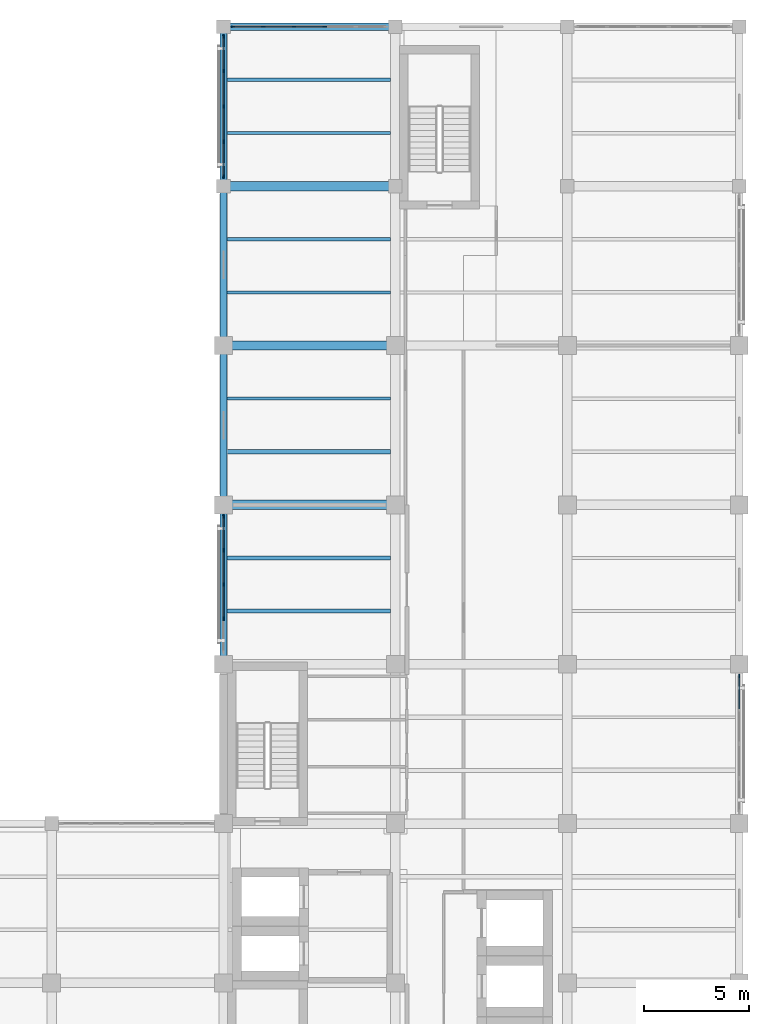
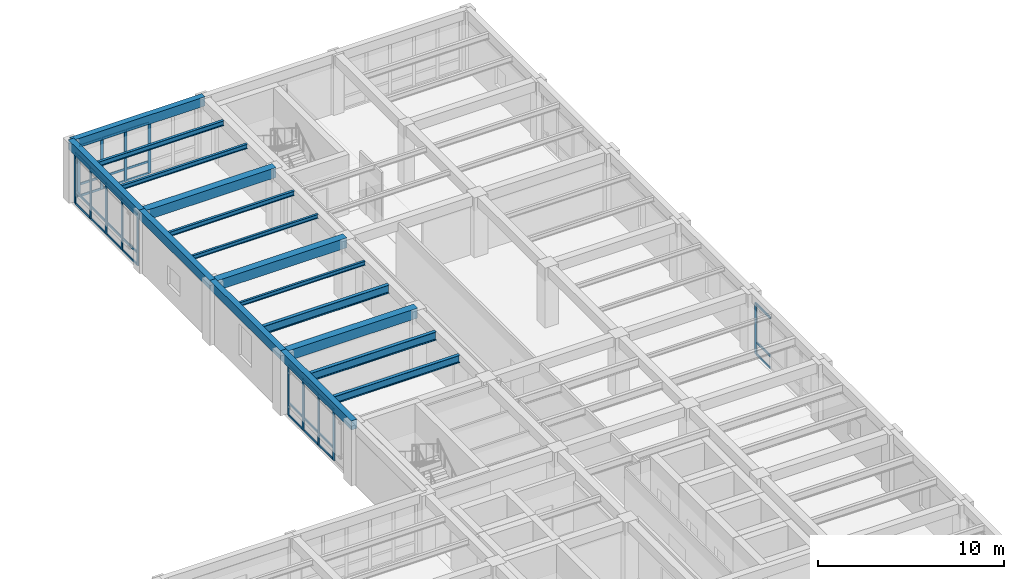
# One storey, part 4 of 17: 47 members, 16 beams, 4 elements without a shape of their own.
"""IFC4 building model written with IfcOpenShell, lengths in metres."""

import ifcopenshell
import ifcopenshell.guid

model = None  # the IFC model being written
_history = None  # IfcOwnerHistory: only IFC2X3 demands one
_inside = {}  # id of a spatial element -> (the spatial element, [elements in it])
_under = {}  # id of a project, library or spatial element -> (it, [spatial elements below it])
_declared = {}  # id of a project -> (the project, [libraries it declares])
_typed = {}  # id of a type object -> (the type object, [elements of that type])
_made_of = {}  # id of a material, layer set ... -> (it, [elements and type objects made of it])


def new_model(schema):
    """Start an empty IFC model of exactly this schema.

    Asked for "IFC4X3", IfcOpenShell would pick the latest addendum, in which some entities
    have other attributes; the version numbers below select the first issue.
    IFC2X3 requires an IfcOwnerHistory on every rooted entity: one is made here for all.
    """
    global model, _history
    if schema == "IFC4X3":
        model = ifcopenshell.file(schema_version=(4, 3, 0, 0))
    else:
        model = ifcopenshell.file(schema=schema)
    _inside.clear()
    _under.clear()
    _declared.clear()
    _typed.clear()
    _made_of.clear()
    _history = None
    if model.schema == "IFC2X3":
        org = make("IfcOrganization", Name="unknown")
        user = make(
            "IfcPersonAndOrganization",
            ThePerson=make("IfcPerson", FamilyName="unknown"),
            TheOrganization=org,
        )
        app = make(
            "IfcApplication",
            ApplicationDeveloper=org,
            Version="unknown",
            ApplicationFullName="unknown",
            ApplicationIdentifier="unknown",
        )
        _history = make(
            "IfcOwnerHistory",
            OwningUser=user,
            OwningApplication=app,
            ChangeAction="ADDED",
            CreationDate=0,
        )
    return model


def make(cls, **values):
    """One entity of the class cls with the attributes given. An attribute that is None is left unset."""
    return model.create_entity(
        cls, **{name: value for name, value in values.items() if value is not None}
    )


def rooted(cls, **values):
    """An entity with a GlobalId (a new one), such as an element, a storey or a relation."""
    return make(cls, GlobalId=ifcopenshell.guid.new(), OwnerHistory=_history, **values)


def si_unit(unit_type, name, prefix=None):
    """IfcSIUnit, for example si_unit("LENGTHUNIT", "METRE", prefix="MILLI")."""
    return make("IfcSIUnit", UnitType=unit_type, Prefix=prefix, Name=name)


def assignment(units):
    """IfcUnitAssignment: the units of a project."""
    return None if units is None else make("IfcUnitAssignment", Units=units)


def point(xyz):
    """IfcCartesianPoint."""
    return None if xyz is None else make("IfcCartesianPoint", Coordinates=xyz)


def direction(xyz):
    """IfcDirection."""
    return None if xyz is None else make("IfcDirection", DirectionRatios=xyz)


def frame(location, z_axis=None, x_axis=None):
    """IfcAxis2Placement3D, a coordinate frame: its origin and axes. An axis left out is left unset."""
    return make(
        "IfcAxis2Placement3D",
        Location=point(location),
        Axis=direction(z_axis),
        RefDirection=direction(x_axis),
    )


def frame_2d(location, x_axis=None):
    """IfcAxis2Placement2D, a coordinate frame in the plane: its origin and x axis."""
    return make(
        "IfcAxis2Placement2D", Location=point(location), RefDirection=direction(x_axis)
    )


def origin():
    """The frame at (0, 0, 0) with its axes left unset."""
    return frame((0.0, 0.0, 0.0))


def origin_2d():
    """The frame at (0, 0) in the plane with its x axis left unset."""
    return frame_2d((0.0, 0.0))


def place(relative_to, where):
    """IfcLocalPlacement: puts the frame where relative to a parent placement (None: the world)."""
    return make(
        "IfcLocalPlacement", PlacementRelTo=relative_to, RelativePlacement=where
    )


def context(
    kind, dimensions, precision=None, world=None, true_north=None, identifier=None
):
    """IfcGeometricRepresentationContext, for example the 3D "Model" context."""
    return make(
        "IfcGeometricRepresentationContext",
        ContextIdentifier=identifier,
        ContextType=kind,
        CoordinateSpaceDimension=dimensions,
        Precision=precision,
        WorldCoordinateSystem=world,
        TrueNorth=true_north,
    )


def subcontext(parent, identifier, kind, view, scale=None):
    """IfcGeometricRepresentationSubContext, for example "Body" below "Model"."""
    return make(
        "IfcGeometricRepresentationSubContext",
        ContextIdentifier=identifier,
        ContextType=kind,
        ParentContext=parent,
        TargetScale=scale,
        TargetView=view,
    )


def project(units=None, contexts=None):
    """IfcProject with its units and contexts."""
    return rooted(
        "IfcProject",
        Name="project",
        RepresentationContexts=contexts,
        UnitsInContext=assignment(units),
    )


def spatial(cls, under=None, at=None, **own):
    """A site, building, storey or space (cls), placed at a placement, below another one or the project."""
    s = rooted(cls, ObjectPlacement=at, **own)
    if under is not None:
        _under.setdefault(under.id(), (under, []))[1].append(s)
    return s


def profile(cls, at=None, kind="AREA", **sizes):
    """A parametric profile (cls). Its sizes go by their IFC names, for example OverallWidth=200.0."""
    return make(cls, ProfileType=kind, Position=at, **sizes)


def rectangle(**sizes):
    """IfcRectangleProfileDef."""
    return profile("IfcRectangleProfileDef", **sizes)


def i_section(**sizes):
    """IfcIShapeProfileDef."""
    return profile("IfcIShapeProfileDef", **sizes)


def extrude(swept, where, along, depth):
    """IfcExtrudedAreaSolid: the profile swept, set in the frame where, extruded along a direction by depth."""
    return make(
        "IfcExtrudedAreaSolid",
        SweptArea=swept,
        Position=where,
        ExtrudedDirection=direction(along),
        Depth=depth,
    )


def shape(context_of_items, identifier, shape_type, items):
    """IfcShapeRepresentation: the items that make up one representation, for example the "Body"."""
    return make(
        "IfcShapeRepresentation",
        ContextOfItems=context_of_items,
        RepresentationIdentifier=identifier,
        RepresentationType=shape_type,
        Items=items,
    )


def material(Name=None, Category=None):
    """IfcMaterial."""
    return make("IfcMaterial", Name=Name, Category=Category)


def material_profile(
    of_material, cross_section, Name=None, Category=None, Priority=None
):
    """IfcMaterialProfile: a cross section and its material."""
    return make(
        "IfcMaterialProfile",
        Name=Name,
        Material=of_material,
        Profile=cross_section,
        Priority=Priority,
        Category=Category,
    )


def profile_set(profiles, Name=None, composite=None):
    """IfcMaterialProfileSet."""
    return make(
        "IfcMaterialProfileSet",
        Name=Name,
        MaterialProfiles=profiles,
        CompositeProfile=composite,
    )


def made_of(thing, what):
    """Note that an element or type object is made of a material, layer set ...; save() writes the relation."""
    if what is not None:
        _made_of.setdefault(what.id(), (what, []))[1].append(thing)
    return thing


def type_object(cls, material=None, **own):
    """A type object (cls), such as IfcWallType, which elements share."""
    return made_of(rooted(cls, **own), material)


def element(
    cls,
    number,
    at=None,
    inside=None,
    cuts=None,
    type_object=None,
    material=None,
    context=None,
    identifier="Body",
    shape_type=None,
    held_by="IfcProductDefinitionShape",
    body=None,
    shapes=None,
    **own,
):
    """One element of the class cls, such as IfcWall. Its Tag is "e" and its number.

    at: its placement. inside: the storey or other place that contains it. cuts: it is an
    opening in that element (IfcRelVoidsElement). A single representation is given by context,
    identifier, shape_type and body (its items); several are given by shapes. held_by: the class
    of the entity that holds the representations. save() writes the other relations.
    """
    e = rooted(cls, Tag="e%d" % number, ObjectPlacement=at, **own)
    if body is not None:
        shapes = [shape(context, identifier, shape_type, body)]
    if shapes is not None:
        e.Representation = make(held_by, Representations=shapes)
    if inside is not None:
        _inside.setdefault(inside.id(), (inside, []))[1].append(e)
    if cuts is not None:
        rooted(
            "IfcRelVoidsElement", RelatingBuildingElement=cuts, RelatedOpeningElement=e
        )
    if type_object is not None:
        _typed.setdefault(type_object.id(), (type_object, []))[1].append(e)
    return made_of(e, material)


def aggregate(whole, parts):
    """IfcRelAggregates: a whole, such as a stair, and the parts it consists of."""
    return rooted("IfcRelAggregates", RelatingObject=whole, RelatedObjects=parts)


def save(model, path):
    """Write the relations noted so far, then the file.

    IfcRelAggregates (storeys below a building ...), IfcRelContainedInSpatialStructure (elements
    in a storey), IfcRelDefinesByType, IfcRelAssociatesMaterial and IfcRelDeclares: one each for
    every whole, place, type object, material and project.
    """
    for whole, parts in _under.values():
        aggregate(whole, parts)
    for where, things in _inside.values():
        rooted(
            "IfcRelContainedInSpatialStructure",
            RelatedElements=things,
            RelatingStructure=where,
        )
    for kind, things in _typed.values():
        rooted("IfcRelDefinesByType", RelatedObjects=things, RelatingType=kind)
    for what, things in _made_of.values():
        rooted("IfcRelAssociatesMaterial", RelatedObjects=things, RelatingMaterial=what)
    for by, libraries in _declared.values():
        rooted("IfcRelDeclares", RelatingContext=by, RelatedDefinitions=libraries)
    model.write(path)


model = new_model("IFC4")

# Units and contexts
model_context = context("Model", 3, precision=1e-05, world=origin(), true_north=direction((0.0, 1.0)))
body_context = subcontext(model_context, "Body", "Model", "MODEL_VIEW")
ifc_project = project(units=[si_unit("LENGTHUNIT", "METRE"), si_unit("AREAUNIT", "SQUARE_METRE"), si_unit("VOLUMEUNIT", "CUBIC_METRE"), si_unit("PLANEANGLEUNIT", "RADIAN"), si_unit("MASSUNIT", "GRAM", prefix="KILO")], contexts=[model_context])

# Site, building, storey
site_placement = place(None, origin())
site = spatial("IfcSite", under=ifc_project, at=site_placement, CompositionType="ELEMENT")
building_placement = place(site_placement, origin())
building = spatial("IfcBuilding", under=site, at=building_placement, Name="Qandaris Square Conservatory and Botanical Centre", CompositionType="ELEMENT")
storey_placement = place(building_placement, frame((0.0, 0.0, 28.199951171875)))
storey = spatial("IfcBuildingStorey", under=building, at=storey_placement, Name="L06", CompositionType="ELEMENT", Elevation=28.199951171875)

# Beams
ifc_material_1 = material(Name="Steel S355", Category="steel")
ifc_material_profile_1 = material_profile(ifc_material_1, i_section(OverallWidth=0.199951171875, OverallDepth=0.5, WebThickness=0.01025390625, FlangeThickness=0.01611328125, FilletRadius=0.02099609375, at=origin_2d()), Name="IPE 500")
ifc_profile_set_1 = profile_set([ifc_material_profile_1], Name="Steel S355")
beam_type_1 = type_object("IfcBeamType", Name="Composite Gallery Joist IPE 500", PredefinedType="JOIST", material=ifc_profile_set_1)
beam_1_placement = place(storey_placement, frame((139.375, 49.533203125, 3.679931640625), z_axis=(1.0, 0.0, 0.0), x_axis=(0.0, 1.0, 0.0)))
element("IfcBeam", 1, at=beam_1_placement, inside=storey, type_object=beam_type_1, Name="L06 Composite Joist 2055", PredefinedType="JOIST", context=body_context, shape_type="SweptSolid", body=[
    extrude(i_section(OverallWidth=0.199951171875, OverallDepth=0.5, WebThickness=0.01025390625, FlangeThickness=0.01611328125, FilletRadius=0.02099609375, at=origin_2d()), origin(), (0.0, 0.0, 1.0), 7.800048828125),
])
ifc_material_profile_2 = material_profile(ifc_material_1, i_section(OverallWidth=0.14990234375, OverallDepth=0.300048828125, WebThickness=0.007080078125, FlangeThickness=0.0107421875, FilletRadius=0.014892578125, at=origin_2d()), Name="IPE 300")
ifc_profile_set_2 = profile_set([ifc_material_profile_2], Name="Steel S355")
beam_type_2 = type_object("IfcBeamType", Name="Composite Lab Joist IPE 300", PredefinedType="JOIST", material=ifc_profile_set_2)
for number, where, z_axis, x_axis, name in (
    (2, (139.375, 67.2666015625, 3.780029296875), (1.0, 0.0, 0.0), (0.0, 1.0, 0.0), "L06 Composite Joist 2060"),
    (3, (139.375, 72.333251953125, 3.780029296875), (1.0, 0.0, 0.0), (0.0, 1.0, 0.0), "L06 Composite Joist 2061"),
):
    element("IfcBeam", number, at=place(storey_placement, frame(where, z_axis=z_axis, x_axis=x_axis)), inside=storey, type_object=beam_type_2, Name=name, PredefinedType="JOIST", context=body_context, shape_type="SweptSolid", body=[
        extrude(i_section(OverallWidth=0.14990234375, OverallDepth=0.300048828125, WebThickness=0.007080078125, FlangeThickness=0.0107421875, FilletRadius=0.014892578125, at=origin_2d()), origin(), (0.0, 0.0, 1.0), 7.800048828125),
    ])
ifc_material_profile_3 = material_profile(ifc_material_1, i_section(OverallWidth=0.159912109375, OverallDepth=0.330078125, WebThickness=0.007568359375, FlangeThickness=0.011474609375, FilletRadius=0.01806640625, at=origin_2d()), Name="IPE 330")
ifc_profile_set_3 = profile_set([ifc_material_profile_3], Name="Steel S355")
beam_type_3 = type_object("IfcBeamType", Name="Composite Lab Joist IPE 330", PredefinedType="JOIST", material=ifc_profile_set_3)
beam_2_placement = place(storey_placement, frame((139.375, 74.86669921875, 3.76513671875), z_axis=(1.0, 0.0, 0.0), x_axis=(0.0, 1.0, 0.0)))
element("IfcBeam", 4, at=beam_2_placement, inside=storey, type_object=beam_type_3, Name="L06 Composite Joist 2062", PredefinedType="JOIST", context=body_context, shape_type="SweptSolid", body=[
    extrude(i_section(OverallWidth=0.159912109375, OverallDepth=0.330078125, WebThickness=0.007568359375, FlangeThickness=0.011474609375, FilletRadius=0.01806640625, at=origin_2d()), origin(), (0.0, 0.0, 1.0), 7.800048828125),
])

# Curtain wall, member
ifc_material_2 = material(Name="Anodised Aluminium", Category="aluminium")
curtain_wall_type_1 = type_object("IfcCurtainWallType", Name="Unitised Curtain Wall CW-4-655x334", PredefinedType="USERDEFINED", material=ifc_material_2)
curtain_wall_1_placement = place(storey_placement, origin())
curtain_wall_1 = element("IfcCurtainWall", 5, at=curtain_wall_1_placement, inside=storey, type_object=curtain_wall_type_1, Name="Curtain Wall CW-TWR-L06-2-4", ObjectType="GLAZED CURTAIN WALL", PredefinedType="USERDEFINED")
ifc_material_profile_4 = material_profile(ifc_material_2, rectangle(XDim=0.06494140625, YDim=0.179931640625, at=origin_2d()), Name="ALU-MUL 65x180")
ifc_profile_set_4 = profile_set([ifc_material_profile_4], Name="Anodised Aluminium")
member_type_1 = type_object("IfcMemberType", Name="Curtain Wall Mullion 65x180", PredefinedType="MULLION", material=ifc_profile_set_4)
member_1_placement = place(storey_placement, frame((163.800048828125, 46.4423828125, 0.0), z_axis=(0.0, 0.0, 1.0), x_axis=(-1.0, 0.0, 0.0)))
member_1 = element("IfcMember", 6, at=member_1_placement, type_object=member_type_1, Name="CW-4-655x334 mullion 5", PredefinedType="MULLION", context=body_context, shape_type="SweptSolid", body=[
    extrude(rectangle(XDim=0.06494140625, YDim=0.179931640625, at=origin_2d()), origin(), (0.0, 0.0, 1.0), 3.340087890625),
])

# Curtain wall, members
curtain_wall_type_2 = type_object("IfcCurtainWallType", Name="Unitised Curtain Wall CW-3-735x334", PredefinedType="USERDEFINED", material=ifc_material_2)
curtain_wall_2_placement = place(storey_placement, origin())
curtain_wall_2 = element("IfcCurtainWall", 7, at=curtain_wall_2_placement, inside=storey, type_object=curtain_wall_type_2, Name="Curtain Wall CW-TWR-L06-3-3", ObjectType="GLAZED CURTAIN WALL", PredefinedType="USERDEFINED")
member_2_placement = place(storey_placement, frame((144.034912109375, 77.39990234375, 0.0), z_axis=(0.0, 0.0, 1.0), x_axis=(0.0, -1.0, 0.0)))
member_2 = element("IfcMember", 8, at=member_2_placement, type_object=member_type_1, Name="CW-3-735x334 mullion 3", PredefinedType="MULLION", context=body_context, shape_type="SweptSolid", body=[
    extrude(rectangle(XDim=0.06494140625, YDim=0.179931640625, at=origin_2d()), origin(), (0.0, 0.0, 1.0), 3.340087890625),
])
member_3_placement = place(storey_placement, frame((142.56494140625, 77.39990234375, 0.0), z_axis=(0.0, 0.0, 1.0), x_axis=(0.0, -1.0, 0.0)))
member_3 = element("IfcMember", 9, at=member_3_placement, type_object=member_type_1, Name="CW-3-735x334 mullion 4", PredefinedType="MULLION", context=body_context, shape_type="SweptSolid", body=[
    extrude(rectangle(XDim=0.06494140625, YDim=0.179931640625, at=origin_2d()), origin(), (0.0, 0.0, 1.0), 3.340087890625),
])
member_4_placement = place(storey_placement, frame((141.094970703125, 77.39990234375, 0.0), z_axis=(0.0, 0.0, 1.0), x_axis=(0.0, -1.0, 0.0)))
member_4 = element("IfcMember", 10, at=member_4_placement, type_object=member_type_1, Name="CW-3-735x334 mullion 5", PredefinedType="MULLION", context=body_context, shape_type="SweptSolid", body=[
    extrude(rectangle(XDim=0.06494140625, YDim=0.179931640625, at=origin_2d()), origin(), (0.0, 0.0, 1.0), 3.340087890625),
])
member_5_placement = place(storey_placement, frame((139.657470703125, 77.39990234375, 0.0), z_axis=(0.0, 0.0, 1.0), x_axis=(0.0, -1.0, 0.0)))
member_5 = element("IfcMember", 11, at=member_5_placement, type_object=member_type_1, Name="CW-3-735x334 mullion 6", PredefinedType="MULLION", context=body_context, shape_type="SweptSolid", body=[
    extrude(rectangle(XDim=0.06494140625, YDim=0.179931640625, at=origin_2d()), origin(), (0.0, 0.0, 1.0), 3.340087890625),
])

curtain_wall_type_3 = type_object("IfcCurtainWallType", Name="Unitised Curtain Wall CW-4-675x334", PredefinedType="USERDEFINED", material=ifc_material_2)
curtain_wall_3_placement = place(storey_placement, origin())
curtain_wall_3 = element("IfcCurtainWall", 12, at=curtain_wall_3_placement, inside=storey, type_object=curtain_wall_type_3, Name="Curtain Wall CW-TWR-L06-4-1", ObjectType="GLAZED CURTAIN WALL", PredefinedType="USERDEFINED")
member_6_placement = place(storey_placement, frame((139.199951171875, 76.9423828125, 0.0), z_axis=(0.0, 0.0, 1.0), x_axis=(1.0, 0.0, 0.0)))
member_6 = element("IfcMember", 13, at=member_6_placement, type_object=member_type_1, Name="CW-4-675x334 mullion 1", PredefinedType="MULLION", context=body_context, shape_type="SweptSolid", body=[
    extrude(rectangle(XDim=0.06494140625, YDim=0.179931640625, at=origin_2d()), origin(), (0.0, 0.0, 1.0), 3.340087890625),
])
member_7_placement = place(storey_placement, frame((139.199951171875, 75.28759765625, 0.0), z_axis=(0.0, 0.0, 1.0), x_axis=(1.0, 0.0, 0.0)))
member_7 = element("IfcMember", 14, at=member_7_placement, type_object=member_type_1, Name="CW-4-675x334 mullion 2", PredefinedType="MULLION", context=body_context, shape_type="SweptSolid", body=[
    extrude(rectangle(XDim=0.06494140625, YDim=0.179931640625, at=origin_2d()), origin(), (0.0, 0.0, 1.0), 3.340087890625),
])
member_8_placement = place(storey_placement, frame((139.199951171875, 73.60009765625, 0.0), z_axis=(0.0, 0.0, 1.0), x_axis=(1.0, 0.0, 0.0)))
member_8 = element("IfcMember", 15, at=member_8_placement, type_object=member_type_1, Name="CW-4-675x334 mullion 3", PredefinedType="MULLION", context=body_context, shape_type="SweptSolid", body=[
    extrude(rectangle(XDim=0.06494140625, YDim=0.179931640625, at=origin_2d()), origin(), (0.0, 0.0, 1.0), 3.340087890625),
])
member_9_placement = place(storey_placement, frame((139.199951171875, 71.91259765625, 0.0), z_axis=(0.0, 0.0, 1.0), x_axis=(1.0, 0.0, 0.0)))
member_9 = element("IfcMember", 16, at=member_9_placement, type_object=member_type_1, Name="CW-4-675x334 mullion 4", PredefinedType="MULLION", context=body_context, shape_type="SweptSolid", body=[
    extrude(rectangle(XDim=0.06494140625, YDim=0.179931640625, at=origin_2d()), origin(), (0.0, 0.0, 1.0), 3.340087890625),
])
member_10_placement = place(storey_placement, frame((139.199951171875, 70.257568359375, 0.0), z_axis=(0.0, 0.0, 1.0), x_axis=(1.0, 0.0, 0.0)))
member_10 = element("IfcMember", 17, at=member_10_placement, type_object=member_type_1, Name="CW-4-675x334 mullion 5", PredefinedType="MULLION", context=body_context, shape_type="SweptSolid", body=[
    extrude(rectangle(XDim=0.06494140625, YDim=0.179931640625, at=origin_2d()), origin(), (0.0, 0.0, 1.0), 3.340087890625),
])

curtain_wall_4_placement = place(storey_placement, origin())
curtain_wall_4 = element("IfcCurtainWall", 18, at=curtain_wall_4_placement, inside=storey, type_object=curtain_wall_type_1, Name="Curtain Wall CW-TWR-L06-4-4", ObjectType="GLAZED CURTAIN WALL", PredefinedType="USERDEFINED")
member_11_placement = place(storey_placement, frame((139.199951171875, 54.04248046875, 0.0), z_axis=(0.0, 0.0, 1.0), x_axis=(1.0, 0.0, 0.0)))
member_11 = element("IfcMember", 19, at=member_11_placement, type_object=member_type_1, Name="CW-4-655x334 mullion 1", PredefinedType="MULLION", context=body_context, shape_type="SweptSolid", body=[
    extrude(rectangle(XDim=0.06494140625, YDim=0.179931640625, at=origin_2d()), origin(), (0.0, 0.0, 1.0), 3.340087890625),
])
member_12_placement = place(storey_placement, frame((139.199951171875, 52.4375, 0.0), z_axis=(0.0, 0.0, 1.0), x_axis=(1.0, 0.0, 0.0)))
member_12 = element("IfcMember", 20, at=member_12_placement, type_object=member_type_1, Name="CW-4-655x334 mullion 2", PredefinedType="MULLION", context=body_context, shape_type="SweptSolid", body=[
    extrude(rectangle(XDim=0.06494140625, YDim=0.179931640625, at=origin_2d()), origin(), (0.0, 0.0, 1.0), 3.340087890625),
])
member_13_placement = place(storey_placement, frame((139.199951171875, 50.800048828125, 0.0), z_axis=(0.0, 0.0, 1.0), x_axis=(1.0, 0.0, 0.0)))
member_13 = element("IfcMember", 21, at=member_13_placement, type_object=member_type_1, Name="CW-4-655x334 mullion 3", PredefinedType="MULLION", context=body_context, shape_type="SweptSolid", body=[
    extrude(rectangle(XDim=0.06494140625, YDim=0.179931640625, at=origin_2d()), origin(), (0.0, 0.0, 1.0), 3.340087890625),
])
member_14_placement = place(storey_placement, frame((139.199951171875, 49.16259765625, 0.0), z_axis=(0.0, 0.0, 1.0), x_axis=(1.0, 0.0, 0.0)))
member_14 = element("IfcMember", 22, at=member_14_placement, type_object=member_type_1, Name="CW-4-655x334 mullion 4", PredefinedType="MULLION", context=body_context, shape_type="SweptSolid", body=[
    extrude(rectangle(XDim=0.06494140625, YDim=0.179931640625, at=origin_2d()), origin(), (0.0, 0.0, 1.0), 3.340087890625),
])

# Member
ifc_material_profile_5 = material_profile(ifc_material_2, rectangle(XDim=0.06494140625, YDim=0.139892578125, at=origin_2d()), Name="ALU-TRN 65x140")
ifc_profile_set_5 = profile_set([ifc_material_profile_5], Name="Anodised Aluminium")
member_type_2 = type_object("IfcMemberType", Name="Curtain Wall Transom 65x140", PredefinedType="USERDEFINED", material=ifc_profile_set_5)
member_15_placement = place(storey_placement, frame((163.800048828125, 44.8701171875, 0.032470703125), z_axis=(0.0, 1.0, 0.0), x_axis=(-1.0, 0.0, 0.0)))
member_15 = element("IfcMember", 23, at=member_15_placement, type_object=member_type_2, Name="CW-4-655x334 transom 4.1", ObjectType="TRANSOM", PredefinedType="USERDEFINED", context=body_context, shape_type="SweptSolid", body=[
    extrude(rectangle(XDim=0.06494140625, YDim=0.139892578125, at=origin_2d()), origin(), (0.0, 0.0, 1.0), 1.539794921875),
])

member_16_placement = place(storey_placement, frame((163.800048828125, 44.8701171875, 0.8017578125), z_axis=(0.0, 1.0, 0.0), x_axis=(-1.0, 0.0, 0.0)))
member_16 = element("IfcMember", 24, at=member_16_placement, type_object=member_type_2, Name="CW-4-655x334 transom 4.2", ObjectType="TRANSOM", PredefinedType="USERDEFINED", context=body_context, shape_type="SweptSolid", body=[
    extrude(rectangle(XDim=0.06494140625, YDim=0.139892578125, at=origin_2d()), origin(), (0.0, 0.0, 1.0), 1.539794921875),
])

member_17_placement = place(storey_placement, frame((163.800048828125, 44.8701171875, 3.3076171875), z_axis=(0.0, 1.0, 0.0), x_axis=(-1.0, 0.0, 0.0)))
member_17 = element("IfcMember", 25, at=member_17_placement, type_object=member_type_2, Name="CW-4-655x334 transom 4.3", ObjectType="TRANSOM", PredefinedType="USERDEFINED", context=body_context, shape_type="SweptSolid", body=[
    extrude(rectangle(XDim=0.06494140625, YDim=0.139892578125, at=origin_2d()), origin(), (0.0, 0.0, 1.0), 1.539794921875),
])

aggregate(curtain_wall_1, [member_1, member_15, member_16, member_17])

member_18_placement = place(storey_placement, frame((144.00244140625, 77.39990234375, 0.032470703125), z_axis=(-1.0, 0.0, 0.0), x_axis=(0.0, -1.0, 0.0)))
member_18 = element("IfcMember", 26, at=member_18_placement, type_object=member_type_2, Name="CW-3-735x334 transom 3.1", ObjectType="TRANSOM", PredefinedType="USERDEFINED", context=body_context, shape_type="SweptSolid", body=[
    extrude(rectangle(XDim=0.06494140625, YDim=0.139892578125, at=origin_2d()), origin(), (0.0, 0.0, 1.0), 1.405029296875),
])

member_19_placement = place(storey_placement, frame((144.00244140625, 77.39990234375, 0.8017578125), z_axis=(-1.0, 0.0, 0.0), x_axis=(0.0, -1.0, 0.0)))
member_19 = element("IfcMember", 27, at=member_19_placement, type_object=member_type_2, Name="CW-3-735x334 transom 3.2", ObjectType="TRANSOM", PredefinedType="USERDEFINED", context=body_context, shape_type="SweptSolid", body=[
    extrude(rectangle(XDim=0.06494140625, YDim=0.139892578125, at=origin_2d()), origin(), (0.0, 0.0, 1.0), 1.405029296875),
])

member_20_placement = place(storey_placement, frame((144.00244140625, 77.39990234375, 3.3076171875), z_axis=(-1.0, 0.0, 0.0), x_axis=(0.0, -1.0, 0.0)))
member_20 = element("IfcMember", 28, at=member_20_placement, type_object=member_type_2, Name="CW-3-735x334 transom 3.3", ObjectType="TRANSOM", PredefinedType="USERDEFINED", context=body_context, shape_type="SweptSolid", body=[
    extrude(rectangle(XDim=0.06494140625, YDim=0.139892578125, at=origin_2d()), origin(), (0.0, 0.0, 1.0), 1.405029296875),
])

member_21_placement = place(storey_placement, frame((142.532470703125, 77.39990234375, 0.032470703125), z_axis=(-1.0, 0.0, 0.0), x_axis=(0.0, -1.0, 0.0)))
member_21 = element("IfcMember", 29, at=member_21_placement, type_object=member_type_2, Name="CW-3-735x334 transom 4.1", ObjectType="TRANSOM", PredefinedType="USERDEFINED", context=body_context, shape_type="SweptSolid", body=[
    extrude(rectangle(XDim=0.06494140625, YDim=0.139892578125, at=origin_2d()), origin(), (0.0, 0.0, 1.0), 1.405029296875),
])

member_22_placement = place(storey_placement, frame((142.532470703125, 77.39990234375, 0.8017578125), z_axis=(-1.0, 0.0, 0.0), x_axis=(0.0, -1.0, 0.0)))
member_22 = element("IfcMember", 30, at=member_22_placement, type_object=member_type_2, Name="CW-3-735x334 transom 4.2", ObjectType="TRANSOM", PredefinedType="USERDEFINED", context=body_context, shape_type="SweptSolid", body=[
    extrude(rectangle(XDim=0.06494140625, YDim=0.139892578125, at=origin_2d()), origin(), (0.0, 0.0, 1.0), 1.405029296875),
])

member_23_placement = place(storey_placement, frame((142.532470703125, 77.39990234375, 3.3076171875), z_axis=(-1.0, 0.0, 0.0), x_axis=(0.0, -1.0, 0.0)))
member_23 = element("IfcMember", 31, at=member_23_placement, type_object=member_type_2, Name="CW-3-735x334 transom 4.3", ObjectType="TRANSOM", PredefinedType="USERDEFINED", context=body_context, shape_type="SweptSolid", body=[
    extrude(rectangle(XDim=0.06494140625, YDim=0.139892578125, at=origin_2d()), origin(), (0.0, 0.0, 1.0), 1.405029296875),
])

member_24_placement = place(storey_placement, frame((141.0625, 77.39990234375, 0.032470703125), z_axis=(-1.0, 0.0, 0.0), x_axis=(0.0, -1.0, 0.0)))
member_24 = element("IfcMember", 32, at=member_24_placement, type_object=member_type_2, Name="CW-3-735x334 transom 5.1", ObjectType="TRANSOM", PredefinedType="USERDEFINED", context=body_context, shape_type="SweptSolid", body=[
    extrude(rectangle(XDim=0.06494140625, YDim=0.139892578125, at=origin_2d()), origin(), (0.0, 0.0, 1.0), 1.37255859375),
])

member_25_placement = place(storey_placement, frame((141.0625, 77.39990234375, 0.8017578125), z_axis=(-1.0, 0.0, 0.0), x_axis=(0.0, -1.0, 0.0)))
member_25 = element("IfcMember", 33, at=member_25_placement, type_object=member_type_2, Name="CW-3-735x334 transom 5.2", ObjectType="TRANSOM", PredefinedType="USERDEFINED", context=body_context, shape_type="SweptSolid", body=[
    extrude(rectangle(XDim=0.06494140625, YDim=0.139892578125, at=origin_2d()), origin(), (0.0, 0.0, 1.0), 1.37255859375),
])

member_26_placement = place(storey_placement, frame((141.0625, 77.39990234375, 3.3076171875), z_axis=(-1.0, 0.0, 0.0), x_axis=(0.0, -1.0, 0.0)))
member_26 = element("IfcMember", 34, at=member_26_placement, type_object=member_type_2, Name="CW-3-735x334 transom 5.3", ObjectType="TRANSOM", PredefinedType="USERDEFINED", context=body_context, shape_type="SweptSolid", body=[
    extrude(rectangle(XDim=0.06494140625, YDim=0.139892578125, at=origin_2d()), origin(), (0.0, 0.0, 1.0), 1.37255859375),
])

aggregate(curtain_wall_2, [member_2, member_3, member_4, member_5, member_18, member_19, member_20, member_21, member_22, member_23, member_24, member_25, member_26])

member_27_placement = place(storey_placement, frame((139.199951171875, 76.909912109375, 0.032470703125), z_axis=(0.0, -1.0, 0.0), x_axis=(1.0, 0.0, 0.0)))
member_27 = element("IfcMember", 35, at=member_27_placement, type_object=member_type_2, Name="CW-4-675x334 transom 1.1", ObjectType="TRANSOM", PredefinedType="USERDEFINED", context=body_context, shape_type="SweptSolid", body=[
    extrude(rectangle(XDim=0.06494140625, YDim=0.139892578125, at=origin_2d()), origin(), (0.0, 0.0, 1.0), 1.58984375),
])

member_28_placement = place(storey_placement, frame((139.199951171875, 76.909912109375, 0.8017578125), z_axis=(0.0, -1.0, 0.0), x_axis=(1.0, 0.0, 0.0)))
member_28 = element("IfcMember", 36, at=member_28_placement, type_object=member_type_2, Name="CW-4-675x334 transom 1.2", ObjectType="TRANSOM", PredefinedType="USERDEFINED", context=body_context, shape_type="SweptSolid", body=[
    extrude(rectangle(XDim=0.06494140625, YDim=0.139892578125, at=origin_2d()), origin(), (0.0, 0.0, 1.0), 1.58984375),
])

member_29_placement = place(storey_placement, frame((139.199951171875, 76.909912109375, 3.3076171875), z_axis=(0.0, -1.0, 0.0), x_axis=(1.0, 0.0, 0.0)))
member_29 = element("IfcMember", 37, at=member_29_placement, type_object=member_type_2, Name="CW-4-675x334 transom 1.3", ObjectType="TRANSOM", PredefinedType="USERDEFINED", context=body_context, shape_type="SweptSolid", body=[
    extrude(rectangle(XDim=0.06494140625, YDim=0.139892578125, at=origin_2d()), origin(), (0.0, 0.0, 1.0), 1.58984375),
])

member_30_placement = place(storey_placement, frame((139.199951171875, 75.2548828125, 0.032470703125), z_axis=(0.0, -1.0, 0.0), x_axis=(1.0, 0.0, 0.0)))
member_30 = element("IfcMember", 38, at=member_30_placement, type_object=member_type_2, Name="CW-4-675x334 transom 2.1", ObjectType="TRANSOM", PredefinedType="USERDEFINED", context=body_context, shape_type="SweptSolid", body=[
    extrude(rectangle(XDim=0.06494140625, YDim=0.139892578125, at=origin_2d()), origin(), (0.0, 0.0, 1.0), 1.622314453125),
])

member_31_placement = place(storey_placement, frame((139.199951171875, 75.2548828125, 0.8017578125), z_axis=(0.0, -1.0, 0.0), x_axis=(1.0, 0.0, 0.0)))
member_31 = element("IfcMember", 39, at=member_31_placement, type_object=member_type_2, Name="CW-4-675x334 transom 2.2", ObjectType="TRANSOM", PredefinedType="USERDEFINED", context=body_context, shape_type="SweptSolid", body=[
    extrude(rectangle(XDim=0.06494140625, YDim=0.139892578125, at=origin_2d()), origin(), (0.0, 0.0, 1.0), 1.622314453125),
])

member_32_placement = place(storey_placement, frame((139.199951171875, 75.2548828125, 3.3076171875), z_axis=(0.0, -1.0, 0.0), x_axis=(1.0, 0.0, 0.0)))
member_32 = element("IfcMember", 40, at=member_32_placement, type_object=member_type_2, Name="CW-4-675x334 transom 2.3", ObjectType="TRANSOM", PredefinedType="USERDEFINED", context=body_context, shape_type="SweptSolid", body=[
    extrude(rectangle(XDim=0.06494140625, YDim=0.139892578125, at=origin_2d()), origin(), (0.0, 0.0, 1.0), 1.622314453125),
])

member_33_placement = place(storey_placement, frame((139.199951171875, 73.5673828125, 0.032470703125), z_axis=(0.0, -1.0, 0.0), x_axis=(1.0, 0.0, 0.0)))
member_33 = element("IfcMember", 41, at=member_33_placement, type_object=member_type_2, Name="CW-4-675x334 transom 3.1", ObjectType="TRANSOM", PredefinedType="USERDEFINED", context=body_context, shape_type="SweptSolid", body=[
    extrude(rectangle(XDim=0.06494140625, YDim=0.139892578125, at=origin_2d()), origin(), (0.0, 0.0, 1.0), 1.622314453125),
])

member_34_placement = place(storey_placement, frame((139.199951171875, 73.5673828125, 0.8017578125), z_axis=(0.0, -1.0, 0.0), x_axis=(1.0, 0.0, 0.0)))
member_34 = element("IfcMember", 42, at=member_34_placement, type_object=member_type_2, Name="CW-4-675x334 transom 3.2", ObjectType="TRANSOM", PredefinedType="USERDEFINED", context=body_context, shape_type="SweptSolid", body=[
    extrude(rectangle(XDim=0.06494140625, YDim=0.139892578125, at=origin_2d()), origin(), (0.0, 0.0, 1.0), 1.622314453125),
])

member_35_placement = place(storey_placement, frame((139.199951171875, 73.5673828125, 3.3076171875), z_axis=(0.0, -1.0, 0.0), x_axis=(1.0, 0.0, 0.0)))
member_35 = element("IfcMember", 43, at=member_35_placement, type_object=member_type_2, Name="CW-4-675x334 transom 3.3", ObjectType="TRANSOM", PredefinedType="USERDEFINED", context=body_context, shape_type="SweptSolid", body=[
    extrude(rectangle(XDim=0.06494140625, YDim=0.139892578125, at=origin_2d()), origin(), (0.0, 0.0, 1.0), 1.622314453125),
])

member_36_placement = place(storey_placement, frame((139.199951171875, 71.8798828125, 0.032470703125), z_axis=(0.0, -1.0, 0.0), x_axis=(1.0, 0.0, 0.0)))
member_36 = element("IfcMember", 44, at=member_36_placement, type_object=member_type_2, Name="CW-4-675x334 transom 4.1", ObjectType="TRANSOM", PredefinedType="USERDEFINED", context=body_context, shape_type="SweptSolid", body=[
    extrude(rectangle(XDim=0.06494140625, YDim=0.139892578125, at=origin_2d()), origin(), (0.0, 0.0, 1.0), 1.58984375),
])

member_37_placement = place(storey_placement, frame((139.199951171875, 71.8798828125, 0.8017578125), z_axis=(0.0, -1.0, 0.0), x_axis=(1.0, 0.0, 0.0)))
member_37 = element("IfcMember", 45, at=member_37_placement, type_object=member_type_2, Name="CW-4-675x334 transom 4.2", ObjectType="TRANSOM", PredefinedType="USERDEFINED", context=body_context, shape_type="SweptSolid", body=[
    extrude(rectangle(XDim=0.06494140625, YDim=0.139892578125, at=origin_2d()), origin(), (0.0, 0.0, 1.0), 1.58984375),
])

member_38_placement = place(storey_placement, frame((139.199951171875, 71.8798828125, 3.3076171875), z_axis=(0.0, -1.0, 0.0), x_axis=(1.0, 0.0, 0.0)))
member_38 = element("IfcMember", 46, at=member_38_placement, type_object=member_type_2, Name="CW-4-675x334 transom 4.3", ObjectType="TRANSOM", PredefinedType="USERDEFINED", context=body_context, shape_type="SweptSolid", body=[
    extrude(rectangle(XDim=0.06494140625, YDim=0.139892578125, at=origin_2d()), origin(), (0.0, 0.0, 1.0), 1.58984375),
])

aggregate(curtain_wall_3, [member_6, member_7, member_8, member_9, member_10, member_27, member_28, member_29, member_30, member_31, member_32, member_33, member_34, member_35, member_36, member_37, member_38])

member_39_placement = place(storey_placement, frame((139.199951171875, 54.010009765625, 0.032470703125), z_axis=(0.0, -1.0, 0.0), x_axis=(1.0, 0.0, 0.0)))
member_39 = element("IfcMember", 47, at=member_39_placement, type_object=member_type_2, Name="CW-4-655x334 transom 1.1", ObjectType="TRANSOM", PredefinedType="USERDEFINED", context=body_context, shape_type="SweptSolid", body=[
    extrude(rectangle(XDim=0.06494140625, YDim=0.139892578125, at=origin_2d()), origin(), (0.0, 0.0, 1.0), 1.5400390625),
])

member_40_placement = place(storey_placement, frame((139.199951171875, 54.010009765625, 0.8017578125), z_axis=(0.0, -1.0, 0.0), x_axis=(1.0, 0.0, 0.0)))
member_40 = element("IfcMember", 48, at=member_40_placement, type_object=member_type_2, Name="CW-4-655x334 transom 1.2", ObjectType="TRANSOM", PredefinedType="USERDEFINED", context=body_context, shape_type="SweptSolid", body=[
    extrude(rectangle(XDim=0.06494140625, YDim=0.139892578125, at=origin_2d()), origin(), (0.0, 0.0, 1.0), 1.5400390625),
])

member_41_placement = place(storey_placement, frame((139.199951171875, 54.010009765625, 3.3076171875), z_axis=(0.0, -1.0, 0.0), x_axis=(1.0, 0.0, 0.0)))
member_41 = element("IfcMember", 49, at=member_41_placement, type_object=member_type_2, Name="CW-4-655x334 transom 1.3", ObjectType="TRANSOM", PredefinedType="USERDEFINED", context=body_context, shape_type="SweptSolid", body=[
    extrude(rectangle(XDim=0.06494140625, YDim=0.139892578125, at=origin_2d()), origin(), (0.0, 0.0, 1.0), 1.5400390625),
])

member_42_placement = place(storey_placement, frame((139.199951171875, 52.405029296875, 0.032470703125), z_axis=(0.0, -1.0, 0.0), x_axis=(1.0, 0.0, 0.0)))
member_42 = element("IfcMember", 50, at=member_42_placement, type_object=member_type_2, Name="CW-4-655x334 transom 2.1", ObjectType="TRANSOM", PredefinedType="USERDEFINED", context=body_context, shape_type="SweptSolid", body=[
    extrude(rectangle(XDim=0.06494140625, YDim=0.139892578125, at=origin_2d()), origin(), (0.0, 0.0, 1.0), 1.572509765625),
])

member_43_placement = place(storey_placement, frame((139.199951171875, 52.405029296875, 0.8017578125), z_axis=(0.0, -1.0, 0.0), x_axis=(1.0, 0.0, 0.0)))
member_43 = element("IfcMember", 51, at=member_43_placement, type_object=member_type_2, Name="CW-4-655x334 transom 2.2", ObjectType="TRANSOM", PredefinedType="USERDEFINED", context=body_context, shape_type="SweptSolid", body=[
    extrude(rectangle(XDim=0.06494140625, YDim=0.139892578125, at=origin_2d()), origin(), (0.0, 0.0, 1.0), 1.572509765625),
])

member_44_placement = place(storey_placement, frame((139.199951171875, 52.405029296875, 3.3076171875), z_axis=(0.0, -1.0, 0.0), x_axis=(1.0, 0.0, 0.0)))
member_44 = element("IfcMember", 52, at=member_44_placement, type_object=member_type_2, Name="CW-4-655x334 transom 2.3", ObjectType="TRANSOM", PredefinedType="USERDEFINED", context=body_context, shape_type="SweptSolid", body=[
    extrude(rectangle(XDim=0.06494140625, YDim=0.139892578125, at=origin_2d()), origin(), (0.0, 0.0, 1.0), 1.572509765625),
])

member_45_placement = place(storey_placement, frame((139.199951171875, 50.767578125, 0.032470703125), z_axis=(0.0, -1.0, 0.0), x_axis=(1.0, 0.0, 0.0)))
member_45 = element("IfcMember", 53, at=member_45_placement, type_object=member_type_2, Name="CW-4-655x334 transom 3.1", ObjectType="TRANSOM", PredefinedType="USERDEFINED", context=body_context, shape_type="SweptSolid", body=[
    extrude(rectangle(XDim=0.06494140625, YDim=0.139892578125, at=origin_2d()), origin(), (0.0, 0.0, 1.0), 1.572509765625),
])

member_46_placement = place(storey_placement, frame((139.199951171875, 50.767578125, 0.8017578125), z_axis=(0.0, -1.0, 0.0), x_axis=(1.0, 0.0, 0.0)))
member_46 = element("IfcMember", 54, at=member_46_placement, type_object=member_type_2, Name="CW-4-655x334 transom 3.2", ObjectType="TRANSOM", PredefinedType="USERDEFINED", context=body_context, shape_type="SweptSolid", body=[
    extrude(rectangle(XDim=0.06494140625, YDim=0.139892578125, at=origin_2d()), origin(), (0.0, 0.0, 1.0), 1.572509765625),
])

member_47_placement = place(storey_placement, frame((139.199951171875, 50.767578125, 3.3076171875), z_axis=(0.0, -1.0, 0.0), x_axis=(1.0, 0.0, 0.0)))
member_47 = element("IfcMember", 55, at=member_47_placement, type_object=member_type_2, Name="CW-4-655x334 transom 3.3", ObjectType="TRANSOM", PredefinedType="USERDEFINED", context=body_context, shape_type="SweptSolid", body=[
    extrude(rectangle(XDim=0.06494140625, YDim=0.139892578125, at=origin_2d()), origin(), (0.0, 0.0, 1.0), 1.572509765625),
])

aggregate(curtain_wall_4, [member_11, member_12, member_13, member_14, member_39, member_40, member_41, member_42, member_43, member_44, member_45, member_46, member_47])

# Beams
ifc_material_profile_6 = material_profile(ifc_material_1, i_section(OverallWidth=0.2099609375, OverallDepth=0.550048828125, WebThickness=0.010986328125, FlangeThickness=0.01708984375, FilletRadius=0.02392578125, at=origin_2d()), Name="IPE 550")
ifc_profile_set_6 = profile_set([ifc_material_profile_6], Name="Steel S355")
beam_type_4 = type_object("IfcBeamType", Name="Long-Span Foyer Joist IPE 550", PredefinedType="JOIST", material=ifc_profile_set_6)
for number, where, z_axis, x_axis, name in (
    (56, (139.375, 52.066650390625, 3.655029296875), (1.0, 0.0, 0.0), (0.0, 1.0, 0.0), "L06 Composite Joist 2056"),
    (57, (139.375, 57.13330078125, 3.655029296875), (1.0, 0.0, 0.0), (0.0, 1.0, 0.0), "L06 Composite Joist 2057"),
):
    element("IfcBeam", number, at=place(storey_placement, frame(where, z_axis=z_axis, x_axis=x_axis)), inside=storey, type_object=beam_type_4, Name=name, PredefinedType="JOIST", context=body_context, shape_type="SweptSolid", body=[
        extrude(i_section(OverallWidth=0.2099609375, OverallDepth=0.550048828125, WebThickness=0.010986328125, FlangeThickness=0.01708984375, FilletRadius=0.02392578125, at=origin_2d()), origin(), (0.0, 0.0, 1.0), 7.800048828125),
    ])
ifc_material_3 = material(Name="Concrete C50/60", Category="concrete")
ifc_material_profile_7 = material_profile(ifc_material_3, rectangle(XDim=0.35009765625, YDim=0.60009765625, at=origin_2d()), Name="RC-SP 350x600")
ifc_profile_set_7 = profile_set([ifc_material_profile_7], Name="Concrete C50/60")
beam_type_5 = type_object("IfcBeamType", Name="RC Edge Spandrel Beam 350x600", PredefinedType="SPANDREL", material=ifc_profile_set_7)
beam_3_placement = place(storey_placement, frame((139.199951171875, 77.39990234375, 3.64013671875), z_axis=(1.0, 0.0, 0.0), x_axis=(0.0, 1.0, 0.0)))
element("IfcBeam", 58, at=beam_3_placement, inside=storey, type_object=beam_type_5, Name="L06 Frame Beam 1990", PredefinedType="SPANDREL", context=body_context, shape_type="SweptSolid", body=[
    extrude(rectangle(XDim=0.35009765625, YDim=0.60009765625, at=origin_2d()), origin(), (0.0, 0.0, 1.0), 8.199951171875),
])
beam_4_placement = place(storey_placement, frame((139.199951171875, 47.0, 3.64013671875), z_axis=(0.0, 1.0, 0.0), x_axis=(-1.0, 0.0, 0.0)))
element("IfcBeam", 59, at=beam_4_placement, inside=storey, type_object=beam_type_5, Name="L06 Frame Beam 2006", PredefinedType="SPANDREL", context=body_context, shape_type="SweptSolid", body=[
    extrude(rectangle(XDim=0.35009765625, YDim=0.60009765625, at=origin_2d()), origin(), (0.0, 0.0, 1.0), 7.60009765625),
])
beam_5_placement = place(storey_placement, frame((139.199951171875, 54.60009765625, 3.64013671875), z_axis=(0.0, 1.0, 0.0), x_axis=(-1.0, 0.0, 0.0)))
element("IfcBeam", 60, at=beam_5_placement, inside=storey, type_object=beam_type_5, Name="L06 Frame Beam 2007", PredefinedType="SPANDREL", context=body_context, shape_type="SweptSolid", body=[
    extrude(rectangle(XDim=0.35009765625, YDim=0.60009765625, at=origin_2d()), origin(), (0.0, 0.0, 1.0), 7.599853515625),
])
beam_6_placement = place(storey_placement, frame((139.199951171875, 62.199951171875, 3.64013671875), z_axis=(0.0, 1.0, 0.0), x_axis=(-1.0, 0.0, 0.0)))
element("IfcBeam", 61, at=beam_6_placement, inside=storey, type_object=beam_type_5, Name="L06 Frame Beam 2008", PredefinedType="SPANDREL", context=body_context, shape_type="SweptSolid", body=[
    extrude(rectangle(XDim=0.35009765625, YDim=0.60009765625, at=origin_2d()), origin(), (0.0, 0.0, 1.0), 7.60009765625),
])
beam_7_placement = place(storey_placement, frame((139.199951171875, 69.800048828125, 3.64013671875), z_axis=(0.0, 1.0, 0.0), x_axis=(-1.0, 0.0, 0.0)))
element("IfcBeam", 62, at=beam_7_placement, inside=storey, type_object=beam_type_5, Name="L06 Frame Beam 2009", PredefinedType="SPANDREL", context=body_context, shape_type="SweptSolid", body=[
    extrude(rectangle(XDim=0.35009765625, YDim=0.60009765625, at=origin_2d()), origin(), (0.0, 0.0, 1.0), 7.599853515625),
])
ifc_material_profile_8 = material_profile(ifc_material_3, rectangle(XDim=0.449951171875, YDim=0.64990234375, at=origin_2d()), Name="RC-BM 450x650")
ifc_profile_set_8 = profile_set([ifc_material_profile_8], Name="Concrete C50/60")
beam_type_6 = type_object("IfcBeamType", Name="RC Floor Girder 450x650", PredefinedType="BEAM", material=ifc_profile_set_8)
for number, where, z_axis, x_axis, name in (
    (63, (139.199951171875, 54.60009765625, 3.614990234375), (1.0, 0.0, 0.0), (0.0, 1.0, 0.0), "L06 Frame Beam 1983"),
    (64, (139.199951171875, 62.199951171875, 3.614990234375), (1.0, 0.0, 0.0), (0.0, 1.0, 0.0), "L06 Frame Beam 1985"),
    (65, (139.199951171875, 69.800048828125, 3.614990234375), (1.0, 0.0, 0.0), (0.0, 1.0, 0.0), "L06 Frame Beam 1988"),
):
    element("IfcBeam", number, at=place(storey_placement, frame(where, z_axis=z_axis, x_axis=x_axis)), inside=storey, type_object=beam_type_6, Name=name, PredefinedType="BEAM", context=body_context, shape_type="SweptSolid", body=[
        extrude(rectangle(XDim=0.449951171875, YDim=0.64990234375, at=origin_2d()), origin(), (0.0, 0.0, 1.0), 8.199951171875),
    ])
ifc_material_profile_9 = material_profile(ifc_material_1, i_section(OverallWidth=0.135009765625, OverallDepth=0.27001953125, WebThickness=0.006591796875, FlangeThickness=0.01025390625, FilletRadius=0.014892578125, at=origin_2d()), Name="IPE 270")
ifc_profile_set_9 = profile_set([ifc_material_profile_9], Name="Steel S355")
beam_type_7 = type_object("IfcBeamType", Name="Steel Floor Joist IPE 270", PredefinedType="JOIST", material=ifc_profile_set_9)
for number, where, z_axis, x_axis, name in (
    (66, (139.375, 59.666748046875, 3.795166015625), (1.0, 0.0, 0.0), (0.0, 1.0, 0.0), "L06 Composite Joist 2058"),
    (67, (139.375, 64.7333984375, 3.795166015625), (1.0, 0.0, 0.0), (0.0, 1.0, 0.0), "L06 Composite Joist 2059"),
):
    element("IfcBeam", number, at=place(storey_placement, frame(where, z_axis=z_axis, x_axis=x_axis)), inside=storey, type_object=beam_type_7, Name=name, PredefinedType="JOIST", context=body_context, shape_type="SweptSolid", body=[
        extrude(i_section(OverallWidth=0.135009765625, OverallDepth=0.27001953125, WebThickness=0.006591796875, FlangeThickness=0.01025390625, FilletRadius=0.014892578125, at=origin_2d()), origin(), (0.0, 0.0, 1.0), 7.800048828125),
    ])

save(model, "model.ifc")
